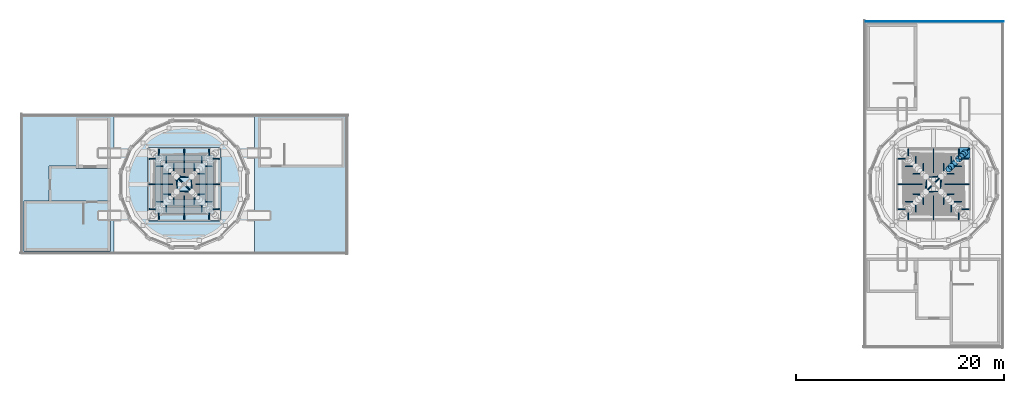
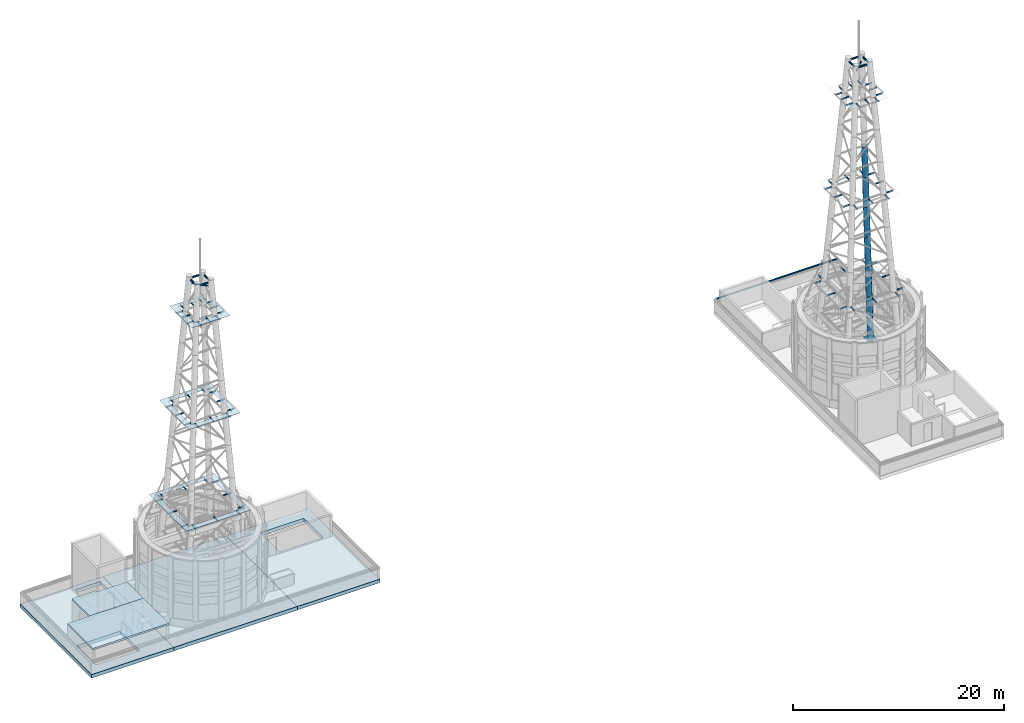
# One storey, part 9 of 36: 72 beams, 22 members, 8 slabs.
"""IFC4 building model written with IfcOpenShell, lengths in metres."""

from ifc_helpers import new_model, si_unit, direction, frame, origin, origin_2d, place, context, subcontext, project, spatial, polyline, rectangle, hollow_rectangle, hollow_circle, i_section, outline, extrude, material, layer, layer_set, material_profile, profile_set, type_object, element, save


model = new_model("IFC4")

# Units and contexts
model_context = context("Model", 3, precision=1e-05, world=origin(), true_north=direction((0.0, 1.0)))
body_context = subcontext(model_context, "Body", "Model", "MODEL_VIEW")
ifc_project = project(units=[si_unit("LENGTHUNIT", "METRE"), si_unit("AREAUNIT", "SQUARE_METRE"), si_unit("VOLUMEUNIT", "CUBIC_METRE"), si_unit("PLANEANGLEUNIT", "RADIAN"), si_unit("MASSUNIT", "GRAM", prefix="KILO")], contexts=[model_context])

# Site, building, storey
site_placement = place(None, origin())
site = spatial("IfcSite", under=ifc_project, at=site_placement, CompositionType="ELEMENT")
building_placement = place(site_placement, origin())
building = spatial("IfcBuilding", under=site, at=building_placement, Name="Ipe Terrace Towers", CompositionType="ELEMENT")
storey_placement = place(building_placement, frame((0.0, 0.0, 264.89990234375)))
storey = spatial("IfcBuildingStorey", under=building, at=storey_placement, Name="Roof", CompositionType="ELEMENT", Elevation=264.89990234375)

# Members
ifc_material_1 = material(Name="Steel S355", Category="steel")
member_type_1 = type_object("IfcMemberType", Name="MAST-BASE PLATE 1000x1000x50", PredefinedType="PLATE", material=ifc_material_1)
member_1_placement = place(storey_placement, frame((39.0, 3.0, 1.2001953125), z_axis=(0.0, 0.0, 1.0), x_axis=(1.0, 0.0, 0.0)))
element("IfcMember", 1, at=member_1_placement, inside=storey, type_object=member_type_1, Name="T2-MP-SE mast base plate", PredefinedType="PLATE", context=body_context, shape_type="SweptSolid", body=[
    extrude(rectangle(XDim=1.0, YDim=1.0, at=origin_2d()), origin(), (0.0, 0.0, 1.0), 0.050048828125),
])
ifc_material_2 = material(Name="Steel S355", Category="steel")
ifc_material_profile_1 = material_profile(ifc_material_2, hollow_circle(Radius=0.304931640625, WallThickness=0.02490234375, at=origin_2d()), Name="MAST-LEG CHS 610x25")
ifc_profile_set_1 = profile_set([ifc_material_profile_1], Name="Steel S355")
member_type_2 = type_object("IfcMemberType", Name="MAST-LEG CHS 610x25", PredefinedType="POST", material=ifc_profile_set_1)
member_2_placement = place(storey_placement, frame((38.998046875, 2.998046875, 1.277099609375), z_axis=(-0.064386978036, -0.064386978036, 0.995845687905), x_axis=(0.707106781187, -0.707106781187, 0.0)))
element("IfcMember", 2, at=member_2_placement, inside=storey, type_object=member_type_2, Name="T2-MS-021 mast leg", PredefinedType="POST", context=body_context, shape_type="SweptSolid", body=[
    extrude(hollow_circle(Radius=0.304931640625, WallThickness=0.02490234375, at=origin_2d()), origin(), (0.0, 0.0, 1.0), 2.608642578125),
])
member_3_placement = place(storey_placement, frame((38.830078125, 2.830078125, 3.875), z_axis=(-0.064554439306, -0.064554439306, 0.995824004898), x_axis=(0.707106781187, -0.707106781187, 0.0)))
element("IfcMember", 3, at=member_3_placement, inside=storey, type_object=member_type_2, Name="T2-MS-022 mast leg", PredefinedType="POST", context=body_context, shape_type="SweptSolid", body=[
    extrude(hollow_circle(Radius=0.304931640625, WallThickness=0.02490234375, at=origin_2d()), origin(), (0.0, 0.0, 1.0), 2.635986328125),
])
member_4_placement = place(storey_placement, frame((38.659912109375, 2.659912109375, 6.5), z_axis=(-0.064555132618, -0.064555132618, 0.99582391501), x_axis=(0.707106781187, -0.707106781187, 0.0)))
element("IfcMember", 4, at=member_4_placement, inside=storey, type_object=member_type_2, Name="T2-MS-023 mast leg", PredefinedType="POST", context=body_context, shape_type="SweptSolid", body=[
    extrude(hollow_circle(Radius=0.304931640625, WallThickness=0.02490234375, at=origin_2d()), origin(), (0.0, 0.0, 1.0), 3.702392578125),
])
member_5_placement = place(storey_placement, frame((38.4208984375, 2.4208984375, 10.18701171875), z_axis=(-0.064211293321, -0.064211293321, 0.995868374646), x_axis=(0.707106781187, -0.707106781187, 0.0)))
element("IfcMember", 5, at=member_5_placement, inside=storey, type_object=member_type_2, Name="T2-MS-024 mast leg", PredefinedType="POST", context=body_context, shape_type="SweptSolid", body=[
    extrude(hollow_circle(Radius=0.304931640625, WallThickness=0.02490234375, at=origin_2d()), origin(), (0.0, 0.0, 1.0), 3.703369140625),
])
member_6_placement = place(storey_placement, frame((38.18310546875, 2.18310546875, 13.875), z_axis=(-0.064555132618, -0.064555132618, 0.99582391501), x_axis=(0.707106781187, -0.707106781187, 0.0)))
element("IfcMember", 6, at=member_6_placement, inside=storey, type_object=member_type_2, Name="T2-MS-025 mast leg", PredefinedType="POST", context=body_context, shape_type="SweptSolid", body=[
    extrude(hollow_circle(Radius=0.304931640625, WallThickness=0.02490234375, at=origin_2d()), origin(), (0.0, 0.0, 1.0), 3.702392578125),
])
member_7_placement = place(storey_placement, frame((37.944091796875, 1.944091796875, 17.56201171875), z_axis=(-0.06453818113, -0.06453818113, 0.995826112508), x_axis=(0.707106781187, -0.707106781187, 0.0)))
element("IfcMember", 7, at=member_7_placement, inside=storey, type_object=member_type_2, Name="T2-MS-026 mast leg", PredefinedType="POST", context=body_context, shape_type="SweptSolid", body=[
    extrude(hollow_circle(Radius=0.304931640625, WallThickness=0.02490234375, at=origin_2d()), origin(), (0.0, 0.0, 1.0), 3.703369140625),
])
member_8_placement = place(storey_placement, frame((37.705078125, 1.705078125, 21.25), z_axis=(-0.064555132618, -0.064555132618, 0.99582391501), x_axis=(0.707106781187, -0.707106781187, 0.0)))
element("IfcMember", 8, at=member_8_placement, inside=storey, type_object=member_type_2, Name="T2-MS-027 mast leg", PredefinedType="POST", context=body_context, shape_type="SweptSolid", body=[
    extrude(hollow_circle(Radius=0.304931640625, WallThickness=0.02490234375, at=origin_2d()), origin(), (0.0, 0.0, 1.0), 3.702392578125),
])

# Beams
ifc_material_3 = material(Name="Steel S355", Category="steel")
ifc_material_profile_2 = material_profile(ifc_material_3, hollow_rectangle(XDim=0.10009765625, YDim=0.14990234375, WallThickness=0.008056640625, at=origin_2d()), Name="MAST-PLATFORM ARM BOX 100x150x8")
ifc_profile_set_2 = profile_set([ifc_material_profile_2], Name="Steel S355")
beam_type_1 = type_object("IfcBeamType", Name="MAST-PLATFORM ARM BOX 100x150x8", PredefinedType="BEAM", material=ifc_profile_set_2)
for number, where, z_axis, x_axis, name in (
    (9, (-38.73388671875, -2.424072265625, 10.152099609375), (-0.999989329087, 0.004619709054, 0.0), (-0.004619709054, -0.999989329087, 0.0), "T1-MS-121 mast platform arm"),
    (10, (-38.424072265625, -2.73388671875, 10.152099609375), (0.004619709054, -0.999989329087, 0.0), (0.999989329087, 0.004619709054, 0.0), "T1-MS-122 mast platform arm"),
    (11, (-38.73388671875, 2.424072265625, 10.152099609375), (-0.999989329087, -0.004619709054, 0.0), (0.004619709054, -0.999989329087, 0.0), "T1-MS-123 mast platform arm"),
    (12, (-38.424072265625, 2.73388671875, 10.152099609375), (0.004619709054, 0.999989329087, 0.0), (-0.999989329087, 0.004619709054, 0.0), "T1-MS-124 mast platform arm"),
    (13, (-33.26611328125, -2.424072265625, 10.152099609375), (0.999989329087, 0.004619709054, 0.0), (-0.004619709054, 0.999989329087, 0.0), "T1-MS-125 mast platform arm"),
    (14, (-33.575927734375, -2.73388671875, 10.152099609375), (-0.004619709054, -0.999989329087, 0.0), (0.999989329087, -0.004619709054, 0.0), "T1-MS-126 mast platform arm"),
    (15, (-33.26611328125, 2.424072265625, 10.152099609375), (0.999989329087, -0.004619709054, 0.0), (0.004619709054, 0.999989329087, 0.0), "T1-MS-127 mast platform arm"),
    (16, (-33.575927734375, 2.73388671875, 10.152099609375), (-0.004619709054, 0.999989329087, 0.0), (-0.999989329087, -0.004619709054, 0.0), "T1-MS-128 mast platform arm"),
):
    element("IfcBeam", number, at=place(storey_placement, frame(where, z_axis=z_axis, x_axis=x_axis)), inside=storey, type_object=beam_type_1, Name=name, PredefinedType="BEAM", context=body_context, shape_type="SweptSolid", body=[
        extrude(hollow_rectangle(XDim=0.10009765625, YDim=0.14990234375, WallThickness=0.008056640625, at=origin_2d()), origin(), (0.0, 0.0, 1.0), 0.68701171875),
    ])
for number, where, z_axis, x_axis, name in (
    (17, (-38.01708984375, -1.70703125, 21.215087890625), (-0.999995970368, 0.002838881392, 0.0), (-0.002838881392, -0.999995970368, 0.0), "T1-MS-137 mast platform arm"),
    (18, (-37.70703125, -2.01708984375, 21.215087890625), (0.002838881392, -0.999995970368, 0.0), (0.999995970368, 0.002838881392, 0.0), "T1-MS-138 mast platform arm"),
    (19, (-38.01708984375, 1.70703125, 21.215087890625), (-0.999995970368, -0.002838881392, 0.0), (0.002838881392, -0.999995970368, 0.0), "T1-MS-139 mast platform arm"),
    (20, (-37.70703125, 2.01708984375, 21.215087890625), (0.002838881392, 0.999995970368, 0.0), (-0.999995970368, 0.002838881392, 0.0), "T1-MS-140 mast platform arm"),
    (21, (-33.98291015625, -1.70703125, 21.215087890625), (0.999995970368, 0.002838881392, 0.0), (-0.002838881392, 0.999995970368, 0.0), "T1-MS-141 mast platform arm"),
    (22, (-34.29296875, -2.01708984375, 21.215087890625), (-0.002838881392, -0.999995970368, 0.0), (0.999995970368, -0.002838881392, 0.0), "T1-MS-142 mast platform arm"),
    (23, (-33.98291015625, 1.70703125, 21.215087890625), (0.999995970368, -0.002838881392, 0.0), (0.002838881392, 0.999995970368, 0.0), "T1-MS-143 mast platform arm"),
    (24, (-34.29296875, 2.01708984375, 21.215087890625), (-0.002838881392, 0.999995970368, 0.0), (-0.999995970368, -0.002838881392, 0.0), "T1-MS-144 mast platform arm"),
    (25, (-37.301025390625, -0.990966796875, 32.277099609375), (-0.999995970368, 0.002838881392, 0.0), (-0.002838881392, -0.999995970368, 0.0), "T1-MS-153 mast platform arm"),
    (26, (-36.990966796875, -1.301025390625, 32.277099609375), (0.002838881392, -0.999995970368, 0.0), (0.999995970368, 0.002838881392, 0.0), "T1-MS-154 mast platform arm"),
    (27, (-37.301025390625, 0.990966796875, 32.277099609375), (-0.999995970368, -0.002838881392, 0.0), (0.002838881392, -0.999995970368, 0.0), "T1-MS-155 mast platform arm"),
    (28, (-36.990966796875, 1.301025390625, 32.277099609375), (0.002838881392, 0.999995970368, 0.0), (-0.999995970368, 0.002838881392, 0.0), "T1-MS-156 mast platform arm"),
    (29, (-34.698974609375, -0.990966796875, 32.277099609375), (0.999995970368, 0.002838881392, 0.0), (-0.002838881392, 0.999995970368, 0.0), "T1-MS-157 mast platform arm"),
    (30, (-35.009033203125, -1.301025390625, 32.277099609375), (-0.002838881392, -0.999995970368, 0.0), (0.999995970368, -0.002838881392, 0.0), "T1-MS-158 mast platform arm"),
    (31, (-34.698974609375, 0.990966796875, 32.277099609375), (0.999995970368, -0.002838881392, 0.0), (0.002838881392, 0.999995970368, 0.0), "T1-MS-159 mast platform arm"),
    (32, (-35.009033203125, 1.301025390625, 32.277099609375), (-0.002838881392, 0.999995970368, 0.0), (-0.999995970368, -0.002838881392, 0.0), "T1-MS-160 mast platform arm"),
):
    element("IfcBeam", number, at=place(storey_placement, frame(where, z_axis=z_axis, x_axis=x_axis)), inside=storey, type_object=beam_type_1, Name=name, PredefinedType="BEAM", context=body_context, shape_type="SweptSolid", body=[
        extrude(hollow_rectangle(XDim=0.10009765625, YDim=0.14990234375, WallThickness=0.008056640625, at=origin_2d()), origin(), (0.0, 0.0, 1.0), 0.68798828125),
    ])
for number, where, z_axis, x_axis, name in (
    (33, (38.424072265625, -2.73388671875, 10.152099609375), (-0.004619709054, -0.999989329087, 0.0), (0.999989329087, -0.004619709054, 0.0), "T2-MS-121 mast platform arm"),
    (34, (38.73388671875, -2.424072265625, 10.152099609375), (0.999989329087, 0.004619709054, 0.0), (-0.004619709054, 0.999989329087, 0.0), "T2-MS-122 mast platform arm"),
    (35, (33.575927734375, -2.73388671875, 10.152099609375), (0.004619709054, -0.999989329087, 0.0), (0.999989329087, 0.004619709054, 0.0), "T2-MS-123 mast platform arm"),
    (36, (33.26611328125, -2.424072265625, 10.152099609375), (-0.999989329087, 0.004619709054, 0.0), (-0.004619709054, -0.999989329087, 0.0), "T2-MS-124 mast platform arm"),
    (37, (38.424072265625, 2.73388671875, 10.152099609375), (-0.004619709054, 0.999989329087, 0.0), (-0.999989329087, -0.004619709054, 0.0), "T2-MS-125 mast platform arm"),
    (38, (38.73388671875, 2.424072265625, 10.152099609375), (0.999989329087, -0.004619709054, 0.0), (0.004619709054, 0.999989329087, 0.0), "T2-MS-126 mast platform arm"),
    (39, (33.575927734375, 2.73388671875, 10.152099609375), (0.004619709054, 0.999989329087, 0.0), (-0.999989329087, 0.004619709054, 0.0), "T2-MS-127 mast platform arm"),
    (40, (33.26611328125, 2.424072265625, 10.152099609375), (-0.999989329087, -0.004619709054, 0.0), (0.004619709054, -0.999989329087, 0.0), "T2-MS-128 mast platform arm"),
):
    element("IfcBeam", number, at=place(storey_placement, frame(where, z_axis=z_axis, x_axis=x_axis)), inside=storey, type_object=beam_type_1, Name=name, PredefinedType="BEAM", context=body_context, shape_type="SweptSolid", body=[
        extrude(hollow_rectangle(XDim=0.10009765625, YDim=0.14990234375, WallThickness=0.008056640625, at=origin_2d()), origin(), (0.0, 0.0, 1.0), 0.68701171875),
    ])
for number, where, z_axis, x_axis, name in (
    (41, (37.70703125, -2.01708984375, 21.215087890625), (-0.002838881392, -0.999995970368, 0.0), (0.999995970368, -0.002838881392, 0.0), "T2-MS-137 mast platform arm"),
    (42, (38.01708984375, -1.70703125, 21.215087890625), (0.999995970368, 0.002838881392, 0.0), (-0.002838881392, 0.999995970368, 0.0), "T2-MS-138 mast platform arm"),
    (43, (34.29296875, -2.01708984375, 21.215087890625), (0.002838881392, -0.999995970368, 0.0), (0.999995970368, 0.002838881392, 0.0), "T2-MS-139 mast platform arm"),
    (44, (33.98291015625, -1.70703125, 21.215087890625), (-0.999995970368, 0.002838881392, 0.0), (-0.002838881392, -0.999995970368, 0.0), "T2-MS-140 mast platform arm"),
    (45, (37.70703125, 2.01708984375, 21.215087890625), (-0.002838881392, 0.999995970368, 0.0), (-0.999995970368, -0.002838881392, 0.0), "T2-MS-141 mast platform arm"),
    (46, (38.01708984375, 1.70703125, 21.215087890625), (0.999995970368, -0.002838881392, 0.0), (0.002838881392, 0.999995970368, 0.0), "T2-MS-142 mast platform arm"),
    (47, (34.29296875, 2.01708984375, 21.215087890625), (0.002838881392, 0.999995970368, 0.0), (-0.999995970368, 0.002838881392, 0.0), "T2-MS-143 mast platform arm"),
    (48, (33.98291015625, 1.70703125, 21.215087890625), (-0.999995970368, -0.002838881392, 0.0), (0.002838881392, -0.999995970368, 0.0), "T2-MS-144 mast platform arm"),
    (49, (36.990966796875, -1.301025390625, 32.277099609375), (-0.002838881392, -0.999995970368, 0.0), (0.999995970368, -0.002838881392, 0.0), "T2-MS-153 mast platform arm"),
    (50, (37.301025390625, -0.990966796875, 32.277099609375), (0.999995970368, 0.002838881392, 0.0), (-0.002838881392, 0.999995970368, 0.0), "T2-MS-154 mast platform arm"),
    (51, (35.009033203125, -1.301025390625, 32.277099609375), (0.002838881392, -0.999995970368, 0.0), (0.999995970368, 0.002838881392, 0.0), "T2-MS-155 mast platform arm"),
    (52, (34.698974609375, -0.990966796875, 32.277099609375), (-0.999995970368, 0.002838881392, 0.0), (-0.002838881392, -0.999995970368, 0.0), "T2-MS-156 mast platform arm"),
    (53, (36.990966796875, 1.301025390625, 32.277099609375), (-0.002838881392, 0.999995970368, 0.0), (-0.999995970368, -0.002838881392, 0.0), "T2-MS-157 mast platform arm"),
    (54, (37.301025390625, 0.990966796875, 32.277099609375), (0.999995970368, -0.002838881392, 0.0), (0.002838881392, 0.999995970368, 0.0), "T2-MS-158 mast platform arm"),
    (55, (35.009033203125, 1.301025390625, 32.277099609375), (0.002838881392, 0.999995970368, 0.0), (-0.999995970368, 0.002838881392, 0.0), "T2-MS-159 mast platform arm"),
    (56, (34.698974609375, 0.990966796875, 32.277099609375), (-0.999995970368, -0.002838881392, 0.0), (0.002838881392, -0.999995970368, 0.0), "T2-MS-160 mast platform arm"),
):
    element("IfcBeam", number, at=place(storey_placement, frame(where, z_axis=z_axis, x_axis=x_axis)), inside=storey, type_object=beam_type_1, Name=name, PredefinedType="BEAM", context=body_context, shape_type="SweptSolid", body=[
        extrude(hollow_rectangle(XDim=0.10009765625, YDim=0.14990234375, WallThickness=0.008056640625, at=origin_2d()), origin(), (0.0, 0.0, 1.0), 0.68798828125),
    ])
ifc_material_4 = material(Name="Steel S355", Category="steel")
ifc_material_profile_3 = material_profile(ifc_material_4, i_section(OverallWidth=0.074951171875, OverallDepth=0.14990234375, WebThickness=0.005615234375, FlangeThickness=0.007568359375, at=origin_2d()), Name="H150x75")
ifc_profile_set_3 = profile_set([ifc_material_profile_3], Name="Steel S355")
beam_type_2 = type_object("IfcBeamType", Name="MAST-PLATFORM JOIST H150x75", PredefinedType="BEAM", material=ifc_profile_set_3)
for number, where, z_axis, x_axis, name in (
    (57, (-36.0, -2.530029296875, 10.22216796875), (0.0, -1.0, 0.0), (1.0, 0.0, 0.0), "T1-MS-133 mast platform joist"),
    (58, (-36.0, 2.530029296875, 10.22216796875), (0.0, 1.0, 0.0), (-1.0, 0.0, 0.0), "T1-MS-134 mast platform joist"),
    (59, (-38.530029296875, 0.0, 10.22216796875), (-1.0, 0.0, 0.0), (0.0, -1.0, 0.0), "T1-MS-135 mast platform joist"),
    (60, (-33.469970703125, 0.0, 10.22216796875), (1.0, 0.0, 0.0), (0.0, 1.0, 0.0), "T1-MS-136 mast platform joist"),
):
    element("IfcBeam", number, at=place(storey_placement, frame(where, z_axis=z_axis, x_axis=x_axis)), inside=storey, type_object=beam_type_2, Name=name, PredefinedType="BEAM", context=body_context, shape_type="SweptSolid", body=[
        extrude(i_section(OverallWidth=0.074951171875, OverallDepth=0.14990234375, WebThickness=0.005615234375, FlangeThickness=0.007568359375, at=origin_2d()), origin(), (0.0, 0.0, 1.0), 0.890869140625),
    ])
for number, where, z_axis, x_axis, name in (
    (61, (-36.0, -1.81396484375, 21.28515625), (0.0, -1.0, 0.0), (1.0, 0.0, 0.0), "T1-MS-149 mast platform joist"),
    (62, (-36.0, 1.81396484375, 21.28515625), (0.0, 1.0, 0.0), (-1.0, 0.0, 0.0), "T1-MS-150 mast platform joist"),
    (63, (-37.81396484375, 0.0, 21.28515625), (-1.0, 0.0, 0.0), (0.0, -1.0, 0.0), "T1-MS-151 mast platform joist"),
    (64, (-34.18603515625, 0.0, 21.28515625), (1.0, 0.0, 0.0), (0.0, 1.0, 0.0), "T1-MS-152 mast platform joist"),
    (65, (-36.0, -1.097900390625, 32.34716796875), (0.0, -1.0, 0.0), (1.0, 0.0, 0.0), "T1-MS-165 mast platform joist"),
    (66, (-36.0, 1.097900390625, 32.34716796875), (0.0, 1.0, 0.0), (-1.0, 0.0, 0.0), "T1-MS-166 mast platform joist"),
    (67, (-37.097900390625, 0.0, 32.34716796875), (-1.0, 0.0, 0.0), (0.0, -1.0, 0.0), "T1-MS-167 mast platform joist"),
    (68, (-34.902099609375, 0.0, 32.34716796875), (1.0, 0.0, 0.0), (0.0, 1.0, 0.0), "T1-MS-168 mast platform joist"),
):
    element("IfcBeam", number, at=place(storey_placement, frame(where, z_axis=z_axis, x_axis=x_axis)), inside=storey, type_object=beam_type_2, Name=name, PredefinedType="BEAM", context=body_context, shape_type="SweptSolid", body=[
        extrude(i_section(OverallWidth=0.074951171875, OverallDepth=0.14990234375, WebThickness=0.005615234375, FlangeThickness=0.007568359375, at=origin_2d()), origin(), (0.0, 0.0, 1.0), 0.89111328125),
    ])
for number, where, z_axis, x_axis, name in (
    (69, (38.530029296875, 0.0, 10.22216796875), (1.0, 0.0, 0.0), (0.0, 1.0, 0.0), "T2-MS-133 mast platform joist"),
    (70, (33.469970703125, 0.0, 10.22216796875), (-1.0, 0.0, 0.0), (0.0, -1.0, 0.0), "T2-MS-134 mast platform joist"),
    (71, (36.0, -2.530029296875, 10.22216796875), (0.0, -1.0, 0.0), (1.0, 0.0, 0.0), "T2-MS-135 mast platform joist"),
    (72, (36.0, 2.530029296875, 10.22216796875), (0.0, 1.0, 0.0), (-1.0, 0.0, 0.0), "T2-MS-136 mast platform joist"),
):
    element("IfcBeam", number, at=place(storey_placement, frame(where, z_axis=z_axis, x_axis=x_axis)), inside=storey, type_object=beam_type_2, Name=name, PredefinedType="BEAM", context=body_context, shape_type="SweptSolid", body=[
        extrude(i_section(OverallWidth=0.074951171875, OverallDepth=0.14990234375, WebThickness=0.005615234375, FlangeThickness=0.007568359375, at=origin_2d()), origin(), (0.0, 0.0, 1.0), 0.890869140625),
    ])
for number, where, z_axis, x_axis, name in (
    (73, (37.81396484375, 0.0, 21.28515625), (1.0, 0.0, 0.0), (0.0, 1.0, 0.0), "T2-MS-149 mast platform joist"),
    (74, (34.18603515625, 0.0, 21.28515625), (-1.0, 0.0, 0.0), (0.0, -1.0, 0.0), "T2-MS-150 mast platform joist"),
    (75, (36.0, -1.81396484375, 21.28515625), (0.0, -1.0, 0.0), (1.0, 0.0, 0.0), "T2-MS-151 mast platform joist"),
    (76, (36.0, 1.81396484375, 21.28515625), (0.0, 1.0, 0.0), (-1.0, 0.0, 0.0), "T2-MS-152 mast platform joist"),
    (77, (37.097900390625, 0.0, 32.34716796875), (1.0, 0.0, 0.0), (0.0, 1.0, 0.0), "T2-MS-165 mast platform joist"),
    (78, (34.902099609375, 0.0, 32.34716796875), (-1.0, 0.0, 0.0), (0.0, -1.0, 0.0), "T2-MS-166 mast platform joist"),
    (79, (36.0, -1.097900390625, 32.34716796875), (0.0, -1.0, 0.0), (1.0, 0.0, 0.0), "T2-MS-167 mast platform joist"),
    (80, (36.0, 1.097900390625, 32.34716796875), (0.0, 1.0, 0.0), (-1.0, 0.0, 0.0), "T2-MS-168 mast platform joist"),
):
    element("IfcBeam", number, at=place(storey_placement, frame(where, z_axis=z_axis, x_axis=x_axis)), inside=storey, type_object=beam_type_2, Name=name, PredefinedType="BEAM", context=body_context, shape_type="SweptSolid", body=[
        extrude(i_section(OverallWidth=0.074951171875, OverallDepth=0.14990234375, WebThickness=0.005615234375, FlangeThickness=0.007568359375, at=origin_2d()), origin(), (0.0, 0.0, 1.0), 0.89111328125),
    ])

# Members
ifc_material_5 = material(Name="Steel S355", Category="steel")
ifc_material_profile_4 = material_profile(ifc_material_5, hollow_circle(Radius=0.109619140625, WallThickness=0.010009765625, at=origin_2d()), Name="MAST-RING CHS 219x10")
ifc_profile_set_4 = profile_set([ifc_material_profile_4], Name="Steel S355")
member_type_3 = type_object("IfcMemberType", Name="MAST-RING CHS 219x10", PredefinedType="STRUT", material=ifc_profile_set_4)
for number, where, z_axis, x_axis, name in (
    (81, (-36.43798828125, -0.75, 36.0), (1.0, 0.0, 0.0), (0.0, 1.0, 0.0), "T1-MS-077 mast ring"),
    (82, (-35.25, -0.43798828125, 36.0), (0.0, 1.0, 0.0), (-1.0, 0.0, 0.0), "T1-MS-078 mast ring"),
    (83, (-35.56201171875, 0.75, 36.0), (-1.0, 0.0, 0.0), (0.0, -1.0, 0.0), "T1-MS-079 mast ring"),
    (84, (-36.75, 0.43798828125, 36.0), (0.0, -1.0, 0.0), (1.0, 0.0, 0.0), "T1-MS-080 mast ring"),
    (85, (36.75, -0.43798828125, 36.0), (0.0, 1.0, 0.0), (-1.0, 0.0, 0.0), "T2-MS-077 mast ring"),
    (86, (36.43798828125, 0.75, 36.0), (-1.0, 0.0, 0.0), (0.0, -1.0, 0.0), "T2-MS-078 mast ring"),
    (87, (35.25, 0.43798828125, 36.0), (0.0, -1.0, 0.0), (1.0, 0.0, 0.0), "T2-MS-079 mast ring"),
    (88, (35.56201171875, -0.75, 36.0), (1.0, 0.0, 0.0), (0.0, 1.0, 0.0), "T2-MS-080 mast ring"),
):
    element("IfcMember", number, at=place(storey_placement, frame(where, z_axis=z_axis, x_axis=x_axis)), inside=storey, type_object=member_type_3, Name=name, PredefinedType="STRUT", context=body_context, shape_type="SweptSolid", body=[
        extrude(hollow_circle(Radius=0.109619140625, WallThickness=0.010009765625, at=origin_2d()), origin(), (0.0, 0.0, 1.0), 0.8759765625),
    ])
ifc_material_6 = material(Name="Steel S355", Category="steel")
ifc_material_profile_5 = material_profile(ifc_material_6, hollow_circle(Radius=0.070068359375, WallThickness=0.008056640625, at=origin_2d()), Name="MAST-STAY CHS 140x8")
ifc_profile_set_5 = profile_set([ifc_material_profile_5], Name="Steel S355")
member_type_4 = type_object("IfcMemberType", Name="MAST-STAY CHS 140x8", PredefinedType="BRACE", material=ifc_profile_set_5)
member_9_placement = place(storey_placement, frame((39.5859375, 3.5859375, 8.132080078125), z_axis=(-0.231014213208, -0.231014213208, 0.945126905019), x_axis=(0.707106781187, -0.707106781187, 0.0)))
element("IfcMember", 89, at=member_9_placement, inside=storey, type_object=member_type_4, Name="T2-MS-S3 mast stay", PredefinedType="BRACE", context=body_context, shape_type="SweptSolid", body=[
    extrude(hollow_circle(Radius=0.070068359375, WallThickness=0.008056640625, at=origin_2d()), origin(), (0.0, 0.0, 1.0), 4.51904296875),
])
ifc_material_7 = material(Name="Steel S355", Category="steel")
ifc_material_profile_6 = material_profile(ifc_material_7, hollow_circle(Radius=0.083984375, WallThickness=0.008056640625, at=origin_2d()), Name="MAST-TOP BRACE CHS 168x8")
ifc_profile_set_6 = profile_set([ifc_material_profile_6], Name="Steel S355")
member_type_5 = type_object("IfcMemberType", Name="MAST-TOP BRACE CHS 168x8", PredefinedType="BRACE", material=ifc_profile_set_6)
for number, where, z_axis, x_axis, name in (
    (90, (-36.56201171875, 0.56201171875, 35.482177734375), (0.707106781187, -0.707106781187, 0.0), (0.707106781187, 0.707106781187, 0.0), "T1-MS-T2 mast top brace"),
    (91, (35.43798828125, -0.56201171875, 35.482177734375), (0.707106781187, 0.707106781187, 0.0), (-0.707106781187, 0.707106781187, 0.0), "T2-MS-T2 mast top brace"),
    (92, (-36.0, 0.0, 35.482177734375), (0.707106781187, -0.707106781187, 0.0), (0.707106781187, 0.707106781187, 0.0), "T1-MS-T3 mast top brace"),
    (93, (36.0, 0.0, 35.482177734375), (0.707106781187, 0.707106781187, 0.0), (-0.707106781187, 0.707106781187, 0.0), "T3-MS-T3 mast top brace"),
):
    element("IfcMember", number, at=place(storey_placement, frame(where, z_axis=z_axis, x_axis=x_axis)), inside=storey, type_object=member_type_5, Name=name, PredefinedType="BRACE", context=body_context, shape_type="SweptSolid", body=[
        extrude(hollow_circle(Radius=0.083984375, WallThickness=0.008056640625, at=origin_2d()), origin(), (0.0, 0.0, 1.0), 0.794921875),
    ])
ifc_material_8 = material(Name="Stainless steel S316", Category="steel")
ifc_material_profile_7 = material_profile(ifc_material_8, rectangle(XDim=0.06005859375, YDim=0.14990234375, at=origin_2d()), Name="SNOW GUARD BAR")
ifc_profile_set_7 = profile_set([ifc_material_profile_7], Name="Stainless steel S316")
member_type_6 = type_object("IfcMemberType", Name="SNOW GUARD BAR", PredefinedType="USERDEFINED", material=ifc_profile_set_7)
member_10_placement = place(storey_placement, frame((42.75, 15.625, 1.43505859375), z_axis=(-1.0, 0.0, 0.0), x_axis=(0.0, -1.0, 0.0)))
element("IfcMember", 94, at=member_10_placement, inside=storey, type_object=member_type_6, Name="snow guard bar", ObjectType="SNOW GUARD", PredefinedType="USERDEFINED", context=body_context, shape_type="SweptSolid", body=[
    extrude(rectangle(XDim=0.06005859375, YDim=0.14990234375, at=origin_2d()), origin(), (0.0, 0.0, 1.0), 13.25),
])

# Slabs
ifc_material_9 = material(Name="Concrete C40/50", Category="concrete")
ifc_layer_1 = layer(ifc_material_9, 0.39990234375)
ifc_layer_set_1 = layer_set([ifc_layer_1], Name="CORE ROOF SLAB 400 C40-50")
slab_type_1 = type_object("IfcSlabType", Name="CORE ROOF SLAB 400 C40-50", PredefinedType="ROOF", material=ifc_layer_set_1)
slab_1_placement = place(storey_placement, frame((0.0, 0.0, -0.39990234375)))
element("IfcSlab", 95, at=slab_1_placement, inside=storey, type_object=slab_type_1, Name="Core roof T1-C1", PredefinedType="ROOF", context=body_context, shape_type="SweptSolid", body=[
    extrude(outline(polyline([(-29.25, -6.75), (-29.25, 6.75), (-20.25, 6.75), (-20.25, -6.75), (-29.25, -6.75)]), holes=[polyline([(-21.449951171875, 1.89990234375), (-21.449951171875, 5.550048828125), (-26.199951171875, 5.550048828125), (-26.199951171875, 1.89990234375), (-21.449951171875, 1.89990234375)])]), origin(), (0.0, 0.0, 1.0), 0.39990234375),
])
slab_2_placement = place(storey_placement, frame((0.0, 0.0, -0.39990234375)))
element("IfcSlab", 96, at=slab_2_placement, inside=storey, type_object=slab_type_1, Name="Core roof T1-C2", PredefinedType="ROOF", context=body_context, shape_type="SweptSolid", body=[
    extrude(outline(polyline([(-51.75, -6.75), (-51.75, 6.75), (-42.75, 6.75), (-42.75, -6.75), (-51.75, -6.75)]), holes=[polyline([(-45.800048828125, -1.89990234375), (-50.550048828125, -1.89990234375), (-50.550048828125, -5.550048828125), (-45.800048828125, -5.550048828125), (-45.800048828125, -1.89990234375)]), polyline([(-43.35009765625, 6.14990234375), (-46.14990234375, 6.14990234375), (-46.14990234375, 1.85009765625), (-43.35009765625, 1.85009765625), (-43.35009765625, 6.14990234375)])]), origin(), (0.0, 0.0, 1.0), 0.39990234375),
])
ifc_material_10 = material(Name="Concrete C40/50", Category="concrete")
ifc_layer_2 = layer(ifc_material_10, 0.409912109375)
ifc_layer_set_2 = layer_set([ifc_layer_2], Name="FLAT PLATE ROOF SLAB 410 C40-50")
slab_type_2 = type_object("IfcSlabType", Name="FLAT PLATE ROOF SLAB 410 C40-50", PredefinedType="ROOF", material=ifc_layer_set_2)
slab_3_placement = place(storey_placement, frame((0.0, 0.0, -0.409912109375)))
element("IfcSlab", 97, at=slab_3_placement, inside=storey, type_object=slab_type_2, Name="Slab T1-FS-Z41", PredefinedType="ROOF", context=body_context, shape_type="SweptSolid", body=[
    extrude(outline(polyline([(-29.25, 6.75), (-29.25, -6.75), (-42.75, -6.75), (-42.75, 6.75), (-29.25, 6.75)])), origin(), (0.0, 0.0, 1.0), 0.409912109375),
])
ifc_material_11 = material(Name="Concrete C40/50", Category="concrete")
ifc_layer_3 = layer(ifc_material_11, 0.199951171875)
ifc_layer_set_3 = layer_set([ifc_layer_3], Name="LIFT HEAD-HOUSE LOBBY ROOF SLAB 200 C40-50")
slab_type_3 = type_object("IfcSlabType", Name="LIFT HEAD-HOUSE LOBBY ROOF SLAB 200 C40-50", PredefinedType="ROOF", material=ifc_layer_set_3)
slab_4_placement = place(storey_placement, frame((0.0, 0.0, 2.5)))
element("IfcSlab", 98, at=slab_4_placement, inside=storey, type_object=slab_type_3, Name="Lift head-house roof T1-C2-lobby", PredefinedType="ROOF", context=body_context, shape_type="SweptSolid", body=[
    extrude(outline(polyline([(-43.10009765625, 1.5), (-43.10009765625, -1.60009765625), (-49.0, -1.60009765625), (-49.0, 1.5), (-49.0, 1.75), (-46.39990234375, 1.75), (-46.39990234375, 1.5), (-43.10009765625, 1.5)])), origin(), (0.0, 0.0, 1.0), 0.2001953125),
])
ifc_material_12 = material(Name="Steel S355 grating", Category="steel")
ifc_layer_4 = layer(ifc_material_12, 0.030029296875)
ifc_layer_set_4 = layer_set([ifc_layer_4], Name="MAST PLATFORM GRATING DECK 30")
slab_type_4 = type_object("IfcSlabType", Name="MAST PLATFORM GRATING DECK 30", PredefinedType="FLOOR", material=ifc_layer_set_4)
slab_5_placement = place(storey_placement, frame((0.0, 0.0, 10.297119140625)))
element("IfcSlab", 99, at=slab_5_placement, inside=storey, type_object=slab_type_4, Name="mast platform grating deck", PredefinedType="FLOOR", context=body_context, shape_type="SweptSolid", body=[
    extrude(outline(polyline([(-39.52099609375, -3.52099609375), (-32.47900390625, -3.52099609375), (-32.47900390625, 3.52099609375), (-39.52099609375, 3.52099609375), (-39.52099609375, -3.52099609375)]), holes=[polyline([(-38.9208984375, -2.9208984375), (-33.0791015625, -2.9208984375), (-33.0791015625, 2.9208984375), (-38.9208984375, 2.9208984375), (-38.9208984375, -2.9208984375)])]), origin(), (0.0, 0.0, 1.0), 0.030029296875),
])
slab_6_placement = place(storey_placement, frame((0.0, 0.0, 21.360107421875)))
element("IfcSlab", 100, at=slab_6_placement, inside=storey, type_object=slab_type_4, Name="mast platform grating deck", PredefinedType="FLOOR", context=body_context, shape_type="SweptSolid", body=[
    extrude(outline(polyline([(-38.804931640625, -2.804931640625), (-33.195068359375, -2.804931640625), (-33.195068359375, 2.804931640625), (-38.804931640625, 2.804931640625), (-38.804931640625, -2.804931640625)]), holes=[polyline([(-38.205078125, -2.205078125), (-33.794921875, -2.205078125), (-33.794921875, 2.205078125), (-38.205078125, 2.205078125), (-38.205078125, -2.205078125)])]), origin(), (0.0, 0.0, 1.0), 0.030029296875),
])
slab_7_placement = place(storey_placement, frame((0.0, 0.0, 32.422119140625)))
element("IfcSlab", 101, at=slab_7_placement, inside=storey, type_object=slab_type_4, Name="mast platform grating deck", PredefinedType="FLOOR", context=body_context, shape_type="SweptSolid", body=[
    extrude(outline(polyline([(-38.089111328125, -2.089111328125), (-33.910888671875, -2.089111328125), (-33.910888671875, 2.089111328125), (-38.089111328125, 2.089111328125), (-38.089111328125, -2.089111328125)]), holes=[polyline([(-37.489013671875, -1.489013671875), (-34.510986328125, -1.489013671875), (-34.510986328125, 1.489013671875), (-37.489013671875, 1.489013671875), (-37.489013671875, -1.489013671875)])]), origin(), (0.0, 0.0, 1.0), 0.030029296875),
])
ifc_material_13 = material(Name="Concrete C40/50", Category="concrete")
ifc_layer_5 = layer(ifc_material_13, 0.199951171875)
ifc_layer_set_5 = layer_set([ifc_layer_5], Name="STAIR HEAD-HOUSE ROOF SLAB 200 C40-50")
slab_type_5 = type_object("IfcSlabType", Name="STAIR HEAD-HOUSE ROOF SLAB 200 C40-50", PredefinedType="ROOF", material=ifc_layer_set_5)
slab_8_placement = place(storey_placement, frame((0.0, 0.0, 2.5)))
element("IfcSlab", 102, at=slab_8_placement, inside=storey, type_object=slab_type_5, Name="Stair head-house roof T1-C2", PredefinedType="ROOF", context=body_context, shape_type="SweptSolid", body=[
    extrude(outline(polyline([(-43.10009765625, -1.60009765625), (-51.39990234375, -1.60009765625), (-51.39990234375, -6.39990234375), (-43.10009765625, -6.39990234375), (-43.10009765625, -1.60009765625)])), origin(), (0.0, 0.0, 1.0), 0.2001953125),
])

save(model, "model.ifc")
